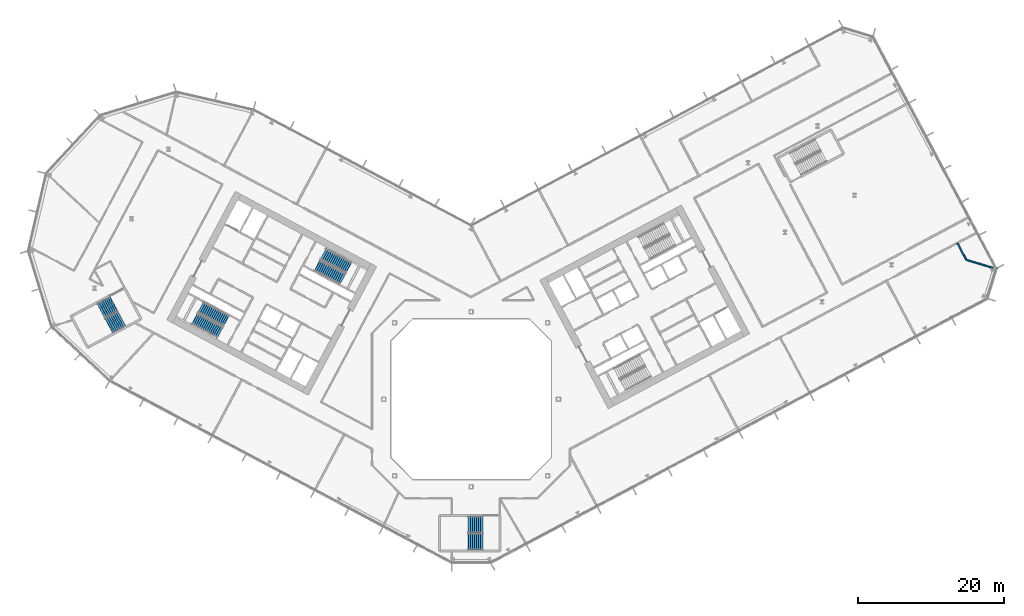
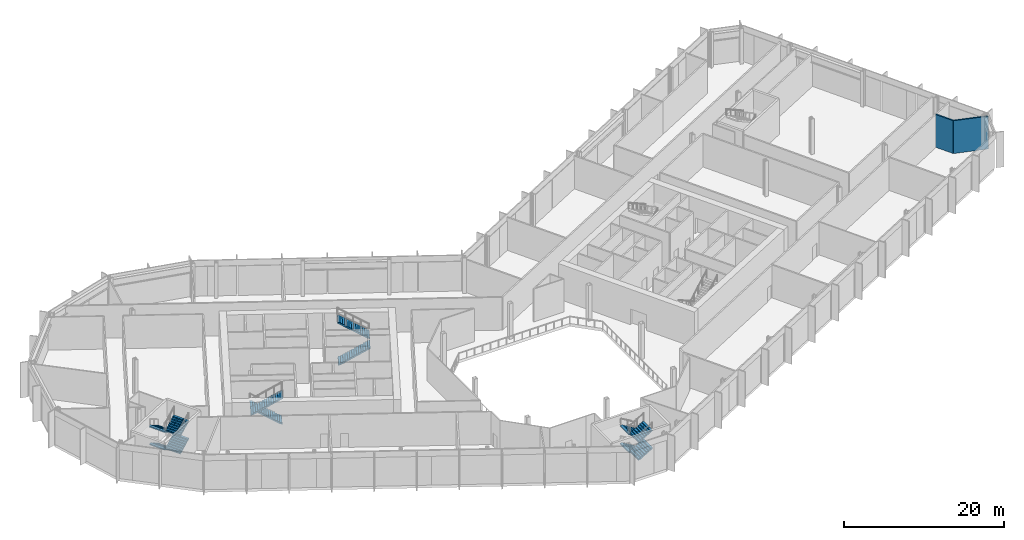
# One storey, part 18 of 32: 12 stair flights, 2 walls, 4 elements without a shape of their own.
"""IFC4 building model written with IfcOpenShell, lengths in metres."""

from ifc_helpers import new_model, si_unit, direction, frame, frame_2d, origin, place, context, subcontext, project, spatial, polyline, rectangle, outline, extrude, material, layer, layer_set, type_object, element, aggregate, save


model = new_model("IFC4")

# Units and contexts
model_context = context("Model", 3, precision=1e-05, world=origin(), true_north=direction((0.0, 1.0)))
body_context = subcontext(model_context, "Body", "Model", "MODEL_VIEW")
ifc_project = project(units=[si_unit("LENGTHUNIT", "METRE"), si_unit("AREAUNIT", "SQUARE_METRE"), si_unit("VOLUMEUNIT", "CUBIC_METRE"), si_unit("PLANEANGLEUNIT", "RADIAN"), si_unit("MASSUNIT", "GRAM", prefix="KILO")], contexts=[model_context])

# Site, building, storey
site_placement = place(None, origin())
site = spatial("IfcSite", under=ifc_project, at=site_placement, CompositionType="ELEMENT")
building_placement = place(site_placement, origin())
building = spatial("IfcBuilding", under=site, at=building_placement, Name="Cormorant Relay Tower", CompositionType="ELEMENT")
storey_placement = place(building_placement, frame((0.0, 0.0, 60.800048828125)))
storey = spatial("IfcBuildingStorey", under=building, at=storey_placement, Name="L11", CompositionType="ELEMENT", Elevation=60.800048828125)

# Walls
ifc_material_1 = material(Name="Fire-rated gypsum board partition")
ifc_layer = layer(ifc_material_1, 0.199951171875)
ifc_layer_set = layer_set([ifc_layer], Name="Fire-rated gypsum partition 200")
wall_type = type_object("IfcWallType", Name="Fire-rated gypsum partition 200", PredefinedType="PARTITIONING", material=ifc_layer_set)
wall_1_placement = place(storey_placement, frame((66.743896484375, 21.445068359375, 0.0), z_axis=(0.0, 0.0, 1.0), x_axis=(0.469720428517, -0.882815223608, 0.0)))
element("IfcWall", 1, at=wall_1_placement, inside=storey, type_object=wall_type, Name="wall/L11/part/53", PredefinedType="PARTITIONING", context=body_context, shape_type="SweptSolid", body=[
    extrude(rectangle(XDim=2.599853515625, YDim=0.199951171875, at=frame_2d((1.2998046875, 0.0))), origin(), (0.0, 0.0, 1.0), 5.0),
])
wall_2_placement = place(storey_placement, frame((67.965087890625, 19.14990234375, 0.0), z_axis=(0.0, 0.0, 1.0), x_axis=(0.956221844793, -0.292642757539, 0.0)))
element("IfcWall", 2, at=wall_2_placement, inside=storey, type_object=wall_type, Name="wall/L11/part/54", PredefinedType="PARTITIONING", context=body_context, shape_type="SweptSolid", body=[
    extrude(rectangle(XDim=4.459228515625, YDim=0.199951171875, at=frame_2d((2.2294921875, 0.0))), origin(), (0.0, 0.0, 1.0), 5.0),
])

# Stair, stair flights
ifc_material_2 = material(Name="Concrete 40 MPa", Category="concrete")
stair_type_1 = type_object("IfcStairType", Name="Exit stair 1500", PredefinedType="HALF_TURN_STAIR", material=ifc_material_2)
stair_1_placement = place(storey_placement, origin())
stair_1 = element("IfcStair", 3, at=stair_1_placement, inside=storey, type_object=stair_type_1, Name="L11 Stair", PredefinedType="HALF_TURN_STAIR")
ifc_material_3 = material(Name="Concrete 40 MPa", Category="concrete")
stair_flight_type_1 = type_object("IfcStairFlightType", Name="Exit stair flight 1650", PredefinedType="STRAIGHT", material=ifc_material_3)
stair_flight_1_placement = place(storey_placement, frame((-21.114501953125, 18.33349609375, 0.0), z_axis=(0.0, 0.0, 1.0), x_axis=(0.882947592859, -0.469471562786, 0.0)))
stair_flight_1 = element("IfcStairFlight", 4, at=stair_flight_1_placement, type_object=stair_flight_type_1, Name="A1 flight 1", NumberOfRisers=15, NumberOfTreads=14, PredefinedType="STRAIGHT", RiserHeight=0.18, TreadLength=0.28, context=body_context, shape_type="SweptSolid", body=[
    extrude(outline(polyline([(-0.050048828125, -0.080078125), (-0.050048828125, 0.0), (0.0, 0.0), (0.0, 0.179931640625), (0.280029296875, 0.179931640625), (0.280029296875, 0.360107421875), (0.56005859375, 0.360107421875), (0.56005859375, 0.5400390625), (0.840087890625, 0.5400390625), (0.840087890625, 0.719970703125), (1.1201171875, 0.719970703125), (1.1201171875, 0.89990234375), (1.39990234375, 0.89990234375), (1.39990234375, 1.080078125), (1.679931640625, 1.080078125), (1.679931640625, 1.260009765625), (1.9599609375, 1.260009765625), (1.9599609375, 1.43994140625), (2.239990234375, 1.43994140625), (2.239990234375, 1.6201171875), (2.52001953125, 1.6201171875), (2.52001953125, 1.800048828125), (2.800048828125, 1.800048828125), (2.800048828125, 1.97998046875), (3.080078125, 1.97998046875), (3.080078125, 2.159912109375), (3.360107421875, 2.159912109375), (3.360107421875, 2.340087890625), (3.639892578125, 2.340087890625), (3.639892578125, 2.52001953125), (3.919921875, 2.52001953125), (3.969970703125, 2.52001953125), (3.969970703125, 2.341796875), (3.919921875, 2.341796875), (0.277099609375, 0.0), (-0.050048828125, -0.080078125)])), frame((0.0, 0.824951171875, 0.0), z_axis=(0.0, -1.0, 0.0), x_axis=(1.0, 0.0, 0.0)), (0.0, 0.0, 1.0), 1.64990234375),
])
stair_flight_2_placement = place(storey_placement, frame((-16.80810546875, 18.08251953125, 2.699951171875), z_axis=(0.0, 0.0, 1.0), x_axis=(-0.882947592859, 0.469471562786, 0.0)))
stair_flight_2 = element("IfcStairFlight", 5, at=stair_flight_2_placement, type_object=stair_flight_type_1, Name="A1 flight 2", NumberOfRisers=15, NumberOfTreads=14, PredefinedType="STRAIGHT", RiserHeight=0.18, TreadLength=0.28, context=body_context, shape_type="SweptSolid", body=[
    extrude(outline(polyline([(-0.050048828125, -0.080078125), (-0.050048828125, 0.0), (0.0, 0.0), (0.0, 0.179931640625), (0.280029296875, 0.179931640625), (0.280029296875, 0.360107421875), (0.56005859375, 0.360107421875), (0.56005859375, 0.5400390625), (0.840087890625, 0.5400390625), (0.840087890625, 0.719970703125), (1.1201171875, 0.719970703125), (1.1201171875, 0.89990234375), (1.39990234375, 0.89990234375), (1.39990234375, 1.080078125), (1.679931640625, 1.080078125), (1.679931640625, 1.260009765625), (1.9599609375, 1.260009765625), (1.9599609375, 1.43994140625), (2.239990234375, 1.43994140625), (2.239990234375, 1.6201171875), (2.52001953125, 1.6201171875), (2.52001953125, 1.800048828125), (2.800048828125, 1.800048828125), (2.800048828125, 1.97998046875), (3.080078125, 1.97998046875), (3.080078125, 2.159912109375), (3.360107421875, 2.159912109375), (3.360107421875, 2.340087890625), (3.639892578125, 2.340087890625), (3.639892578125, 2.52001953125), (3.919921875, 2.52001953125), (3.969970703125, 2.52001953125), (3.969970703125, 2.341796875), (3.919921875, 2.341796875), (0.277099609375, 0.0), (-0.050048828125, -0.080078125)])), frame((0.0, 0.824951171875, 0.0), z_axis=(0.0, -1.0, 0.0), x_axis=(1.0, 0.0, 0.0)), (0.0, 0.0, 1.0), 1.64990234375),
])
aggregate(stair_1, [stair_flight_1, stair_flight_2])

stair_2_placement = place(storey_placement, origin())
stair_2 = element("IfcStair", 6, at=stair_2_placement, inside=storey, type_object=stair_type_1, Name="L11 Stair", PredefinedType="HALF_TURN_STAIR")
stair_flight_3_placement = place(storey_placement, frame((-33.62841796875, 10.773681640625, 0.0), z_axis=(0.0, 0.0, 1.0), x_axis=(-0.882947592859, 0.469471562786, 0.0)))
stair_flight_3 = element("IfcStairFlight", 7, at=stair_flight_3_placement, type_object=stair_flight_type_1, Name="A2 flight 1", NumberOfRisers=15, NumberOfTreads=14, PredefinedType="STRAIGHT", RiserHeight=0.18, TreadLength=0.28, context=body_context, shape_type="SweptSolid", body=[
    extrude(outline(polyline([(-0.050048828125, -0.080078125), (-0.050048828125, 0.0), (0.0, 0.0), (0.0, 0.179931640625), (0.280029296875, 0.179931640625), (0.280029296875, 0.360107421875), (0.56005859375, 0.360107421875), (0.56005859375, 0.5400390625), (0.840087890625, 0.5400390625), (0.840087890625, 0.719970703125), (1.1201171875, 0.719970703125), (1.1201171875, 0.89990234375), (1.39990234375, 0.89990234375), (1.39990234375, 1.080078125), (1.679931640625, 1.080078125), (1.679931640625, 1.260009765625), (1.9599609375, 1.260009765625), (1.9599609375, 1.43994140625), (2.239990234375, 1.43994140625), (2.239990234375, 1.6201171875), (2.52001953125, 1.6201171875), (2.52001953125, 1.800048828125), (2.800048828125, 1.800048828125), (2.800048828125, 1.97998046875), (3.080078125, 1.97998046875), (3.080078125, 2.159912109375), (3.360107421875, 2.159912109375), (3.360107421875, 2.340087890625), (3.639892578125, 2.340087890625), (3.639892578125, 2.52001953125), (3.919921875, 2.52001953125), (3.969970703125, 2.52001953125), (3.969970703125, 2.341796875), (3.919921875, 2.341796875), (0.277099609375, 0.0), (-0.050048828125, -0.080078125)])), frame((0.0, 0.824951171875, 0.0), z_axis=(0.0, -1.0, 0.0), x_axis=(1.0, 0.0, 0.0)), (0.0, 0.0, 1.0), 1.64990234375),
])
stair_flight_4_placement = place(storey_placement, frame((-37.9345703125, 11.024658203125, 2.699951171875), z_axis=(0.0, 0.0, 1.0), x_axis=(0.882947592859, -0.469471562786, 0.0)))
stair_flight_4 = element("IfcStairFlight", 8, at=stair_flight_4_placement, type_object=stair_flight_type_1, Name="A2 flight 2", NumberOfRisers=15, NumberOfTreads=14, PredefinedType="STRAIGHT", RiserHeight=0.18, TreadLength=0.28, context=body_context, shape_type="SweptSolid", body=[
    extrude(outline(polyline([(-0.050048828125, -0.080078125), (-0.050048828125, 0.0), (0.0, 0.0), (0.0, 0.179931640625), (0.280029296875, 0.179931640625), (0.280029296875, 0.360107421875), (0.56005859375, 0.360107421875), (0.56005859375, 0.5400390625), (0.840087890625, 0.5400390625), (0.840087890625, 0.719970703125), (1.1201171875, 0.719970703125), (1.1201171875, 0.89990234375), (1.39990234375, 0.89990234375), (1.39990234375, 1.080078125), (1.679931640625, 1.080078125), (1.679931640625, 1.260009765625), (1.9599609375, 1.260009765625), (1.9599609375, 1.43994140625), (2.239990234375, 1.43994140625), (2.239990234375, 1.6201171875), (2.52001953125, 1.6201171875), (2.52001953125, 1.800048828125), (2.800048828125, 1.800048828125), (2.800048828125, 1.97998046875), (3.080078125, 1.97998046875), (3.080078125, 2.159912109375), (3.360107421875, 2.159912109375), (3.360107421875, 2.340087890625), (3.639892578125, 2.340087890625), (3.639892578125, 2.52001953125), (3.919921875, 2.52001953125), (3.969970703125, 2.52001953125), (3.969970703125, 2.341796875), (3.919921875, 2.341796875), (0.277099609375, 0.0), (-0.050048828125, -0.080078125)])), frame((0.0, 0.824951171875, 0.0), z_axis=(0.0, -1.0, 0.0), x_axis=(1.0, 0.0, 0.0)), (0.0, 0.0, 1.0), 1.64990234375),
])
aggregate(stair_2, [stair_flight_3, stair_flight_4])

ifc_material_4 = material(Name="Concrete 40 MPa", Category="concrete")
stair_type_2 = type_object("IfcStairType", Name="Remote exit stair 2200", PredefinedType="HALF_TURN_STAIR", material=ifc_material_4)
stair_3_placement = place(storey_placement, origin())
stair_3 = element("IfcStair", 9, at=stair_3_placement, inside=storey, type_object=stair_type_2, Name="L11 Stair", PredefinedType="HALF_TURN_STAIR")
ifc_material_5 = material(Name="Concrete 40 MPa", Category="concrete")
stair_flight_type_2 = type_object("IfcStairFlightType", Name="Remote exit stair flight 2200", PredefinedType="STRAIGHT", material=ifc_material_5)
stair_flight_5_placement = place(storey_placement, frame((1.60009765625, -17.22509765625, 0.0), z_axis=(0.0, 0.0, 1.0), x_axis=(-1.0, 0.0, 0.0)))
stair_flight_5 = element("IfcStairFlight", 10, at=stair_flight_5_placement, type_object=stair_flight_type_2, Name="RK1 flight 1", NumberOfRisers=8, NumberOfTreads=7, PredefinedType="STRAIGHT", RiserHeight=0.16875, TreadLength=0.28, context=body_context, shape_type="SweptSolid", body=[
    extrude(outline(polyline([(-0.050048828125, -0.080078125), (-0.050048828125, 0.0), (0.0, 0.0), (0.0, 0.168701171875), (0.280029296875, 0.168701171875), (0.280029296875, 0.33740234375), (0.56005859375, 0.33740234375), (0.56005859375, 0.50634765625), (0.840087890625, 0.50634765625), (0.840087890625, 0.675048828125), (1.1201171875, 0.675048828125), (1.1201171875, 0.84375), (1.39990234375, 0.84375), (1.39990234375, 1.012451171875), (1.679931640625, 1.012451171875), (1.679931640625, 1.18115234375), (1.9599609375, 1.18115234375), (2.010009765625, 1.18115234375), (2.010009765625, 1.00634765625), (1.9599609375, 1.00634765625), (0.29052734375, 0.0), (-0.050048828125, -0.080078125)])), frame((0.0, 1.10009765625, 0.0), z_axis=(0.0, -1.0, 0.0), x_axis=(1.0, 0.0, 0.0)), (0.0, 0.0, 1.0), 0.719970703125),
    extrude(outline(polyline([(-0.050048828125, -0.080078125), (-0.050048828125, 0.0), (0.0, 0.0), (0.0, 0.168701171875), (0.280029296875, 0.168701171875), (0.280029296875, 0.33740234375), (0.56005859375, 0.33740234375), (0.56005859375, 0.50634765625), (0.840087890625, 0.50634765625), (0.840087890625, 0.675048828125), (1.1201171875, 0.675048828125), (1.1201171875, 0.84375), (1.39990234375, 0.84375), (1.39990234375, 1.012451171875), (1.679931640625, 1.012451171875), (1.679931640625, 1.18115234375), (1.9599609375, 1.18115234375), (2.010009765625, 1.18115234375), (2.010009765625, 1.00634765625), (1.9599609375, 1.00634765625), (0.29052734375, 0.0), (-0.050048828125, -0.080078125)])), frame((0.0, 0.360107421875, 0.0), z_axis=(0.0, -1.0, 0.0), x_axis=(1.0, 0.0, 0.0)), (0.0, 0.0, 1.0), 0.719970703125),
    extrude(outline(polyline([(-0.050048828125, -0.080078125), (-0.050048828125, 0.0), (0.0, 0.0), (0.0, 0.168701171875), (0.280029296875, 0.168701171875), (0.280029296875, 0.33740234375), (0.56005859375, 0.33740234375), (0.56005859375, 0.50634765625), (0.840087890625, 0.50634765625), (0.840087890625, 0.675048828125), (1.1201171875, 0.675048828125), (1.1201171875, 0.84375), (1.39990234375, 0.84375), (1.39990234375, 1.012451171875), (1.679931640625, 1.012451171875), (1.679931640625, 1.18115234375), (1.9599609375, 1.18115234375), (2.010009765625, 1.18115234375), (2.010009765625, 1.00634765625), (1.9599609375, 1.00634765625), (0.29052734375, 0.0), (-0.050048828125, -0.080078125)])), frame((0.0, -0.3798828125, 0.0), z_axis=(0.0, -1.0, 0.0), x_axis=(1.0, 0.0, 0.0)), (0.0, 0.0, 1.0), 0.719970703125),
])
stair_flight_6_placement = place(storey_placement, frame((-0.360107421875, -19.574951171875, 1.349853515625), z_axis=(0.0, 0.0, 1.0), x_axis=(1.0, 0.0, 0.0)))
stair_flight_6 = element("IfcStairFlight", 11, at=stair_flight_6_placement, type_object=stair_flight_type_2, Name="RK1 flight 2", NumberOfRisers=8, NumberOfTreads=7, PredefinedType="STRAIGHT", RiserHeight=0.16875, TreadLength=0.28, context=body_context, shape_type="SweptSolid", body=[
    extrude(outline(polyline([(-0.050048828125, -0.080078125), (-0.050048828125, 0.0), (0.0, 0.0), (0.0, 0.168701171875), (0.280029296875, 0.168701171875), (0.280029296875, 0.33740234375), (0.56005859375, 0.33740234375), (0.56005859375, 0.50634765625), (0.840087890625, 0.50634765625), (0.840087890625, 0.675048828125), (1.1201171875, 0.675048828125), (1.1201171875, 0.84375), (1.39990234375, 0.84375), (1.39990234375, 1.012451171875), (1.679931640625, 1.012451171875), (1.679931640625, 1.18115234375), (1.9599609375, 1.18115234375), (2.010009765625, 1.18115234375), (2.010009765625, 1.00634765625), (1.9599609375, 1.00634765625), (0.29052734375, 0.0), (-0.050048828125, -0.080078125)])), frame((0.0, 1.10009765625, 0.0), z_axis=(0.0, -1.0, 0.0), x_axis=(1.0, 0.0, 0.0)), (0.0, 0.0, 1.0), 0.719970703125),
    extrude(outline(polyline([(-0.050048828125, -0.080078125), (-0.050048828125, 0.0), (0.0, 0.0), (0.0, 0.168701171875), (0.280029296875, 0.168701171875), (0.280029296875, 0.33740234375), (0.56005859375, 0.33740234375), (0.56005859375, 0.50634765625), (0.840087890625, 0.50634765625), (0.840087890625, 0.675048828125), (1.1201171875, 0.675048828125), (1.1201171875, 0.84375), (1.39990234375, 0.84375), (1.39990234375, 1.012451171875), (1.679931640625, 1.012451171875), (1.679931640625, 1.18115234375), (1.9599609375, 1.18115234375), (2.010009765625, 1.18115234375), (2.010009765625, 1.00634765625), (1.9599609375, 1.00634765625), (0.29052734375, 0.0), (-0.050048828125, -0.080078125)])), frame((0.0, 0.360107421875, 0.0), z_axis=(0.0, -1.0, 0.0), x_axis=(1.0, 0.0, 0.0)), (0.0, 0.0, 1.0), 0.719970703125),
    extrude(outline(polyline([(-0.050048828125, -0.080078125), (-0.050048828125, 0.0), (0.0, 0.0), (0.0, 0.168701171875), (0.280029296875, 0.168701171875), (0.280029296875, 0.33740234375), (0.56005859375, 0.33740234375), (0.56005859375, 0.50634765625), (0.840087890625, 0.50634765625), (0.840087890625, 0.675048828125), (1.1201171875, 0.675048828125), (1.1201171875, 0.84375), (1.39990234375, 0.84375), (1.39990234375, 1.012451171875), (1.679931640625, 1.012451171875), (1.679931640625, 1.18115234375), (1.9599609375, 1.18115234375), (2.010009765625, 1.18115234375), (2.010009765625, 1.00634765625), (1.9599609375, 1.00634765625), (0.29052734375, 0.0), (-0.050048828125, -0.080078125)])), frame((0.0, -0.3798828125, 0.0), z_axis=(0.0, -1.0, 0.0), x_axis=(1.0, 0.0, 0.0)), (0.0, 0.0, 1.0), 0.719970703125),
])
stair_flight_7_placement = place(storey_placement, frame((1.60009765625, -17.22509765625, 2.699951171875), z_axis=(0.0, 0.0, 1.0), x_axis=(-1.0, 0.0, 0.0)))
stair_flight_7 = element("IfcStairFlight", 12, at=stair_flight_7_placement, type_object=stair_flight_type_2, Name="RK1 flight 3", NumberOfRisers=8, NumberOfTreads=7, PredefinedType="STRAIGHT", RiserHeight=0.16875, TreadLength=0.28, context=body_context, shape_type="SweptSolid", body=[
    extrude(outline(polyline([(-0.050048828125, -0.080078125), (-0.050048828125, 0.0), (0.0, 0.0), (0.0, 0.168701171875), (0.280029296875, 0.168701171875), (0.280029296875, 0.33740234375), (0.56005859375, 0.33740234375), (0.56005859375, 0.50634765625), (0.840087890625, 0.50634765625), (0.840087890625, 0.675048828125), (1.1201171875, 0.675048828125), (1.1201171875, 0.84375), (1.39990234375, 0.84375), (1.39990234375, 1.012451171875), (1.679931640625, 1.012451171875), (1.679931640625, 1.18115234375), (1.9599609375, 1.18115234375), (2.010009765625, 1.18115234375), (2.010009765625, 1.00634765625), (1.9599609375, 1.00634765625), (0.29052734375, 0.0), (-0.050048828125, -0.080078125)])), frame((0.0, 1.10009765625, 0.0), z_axis=(0.0, -1.0, 0.0), x_axis=(1.0, 0.0, 0.0)), (0.0, 0.0, 1.0), 0.719970703125),
    extrude(outline(polyline([(-0.050048828125, -0.080078125), (-0.050048828125, 0.0), (0.0, 0.0), (0.0, 0.168701171875), (0.280029296875, 0.168701171875), (0.280029296875, 0.33740234375), (0.56005859375, 0.33740234375), (0.56005859375, 0.50634765625), (0.840087890625, 0.50634765625), (0.840087890625, 0.675048828125), (1.1201171875, 0.675048828125), (1.1201171875, 0.84375), (1.39990234375, 0.84375), (1.39990234375, 1.012451171875), (1.679931640625, 1.012451171875), (1.679931640625, 1.18115234375), (1.9599609375, 1.18115234375), (2.010009765625, 1.18115234375), (2.010009765625, 1.00634765625), (1.9599609375, 1.00634765625), (0.29052734375, 0.0), (-0.050048828125, -0.080078125)])), frame((0.0, 0.360107421875, 0.0), z_axis=(0.0, -1.0, 0.0), x_axis=(1.0, 0.0, 0.0)), (0.0, 0.0, 1.0), 0.719970703125),
    extrude(outline(polyline([(-0.050048828125, -0.080078125), (-0.050048828125, 0.0), (0.0, 0.0), (0.0, 0.168701171875), (0.280029296875, 0.168701171875), (0.280029296875, 0.33740234375), (0.56005859375, 0.33740234375), (0.56005859375, 0.50634765625), (0.840087890625, 0.50634765625), (0.840087890625, 0.675048828125), (1.1201171875, 0.675048828125), (1.1201171875, 0.84375), (1.39990234375, 0.84375), (1.39990234375, 1.012451171875), (1.679931640625, 1.012451171875), (1.679931640625, 1.18115234375), (1.9599609375, 1.18115234375), (2.010009765625, 1.18115234375), (2.010009765625, 1.00634765625), (1.9599609375, 1.00634765625), (0.29052734375, 0.0), (-0.050048828125, -0.080078125)])), frame((0.0, -0.3798828125, 0.0), z_axis=(0.0, -1.0, 0.0), x_axis=(1.0, 0.0, 0.0)), (0.0, 0.0, 1.0), 0.719970703125),
])
stair_flight_8_placement = place(storey_placement, frame((-0.360107421875, -19.574951171875, 4.050048828125), z_axis=(0.0, 0.0, 1.0), x_axis=(1.0, 0.0, 0.0)))
stair_flight_8 = element("IfcStairFlight", 13, at=stair_flight_8_placement, type_object=stair_flight_type_2, Name="RK1 flight 4", NumberOfRisers=8, NumberOfTreads=7, PredefinedType="STRAIGHT", RiserHeight=0.16875, TreadLength=0.28, context=body_context, shape_type="SweptSolid", body=[
    extrude(outline(polyline([(-0.050048828125, -0.080078125), (-0.050048828125, 0.0), (0.0, 0.0), (0.0, 0.168701171875), (0.280029296875, 0.168701171875), (0.280029296875, 0.33740234375), (0.56005859375, 0.33740234375), (0.56005859375, 0.50634765625), (0.840087890625, 0.50634765625), (0.840087890625, 0.675048828125), (1.1201171875, 0.675048828125), (1.1201171875, 0.84375), (1.39990234375, 0.84375), (1.39990234375, 1.012451171875), (1.679931640625, 1.012451171875), (1.679931640625, 1.18115234375), (1.9599609375, 1.18115234375), (2.010009765625, 1.18115234375), (2.010009765625, 1.00634765625), (1.9599609375, 1.00634765625), (0.29052734375, 0.0), (-0.050048828125, -0.080078125)])), frame((0.0, 1.10009765625, 0.0), z_axis=(0.0, -1.0, 0.0), x_axis=(1.0, 0.0, 0.0)), (0.0, 0.0, 1.0), 0.719970703125),
    extrude(outline(polyline([(-0.050048828125, -0.080078125), (-0.050048828125, 0.0), (0.0, 0.0), (0.0, 0.168701171875), (0.280029296875, 0.168701171875), (0.280029296875, 0.33740234375), (0.56005859375, 0.33740234375), (0.56005859375, 0.50634765625), (0.840087890625, 0.50634765625), (0.840087890625, 0.675048828125), (1.1201171875, 0.675048828125), (1.1201171875, 0.84375), (1.39990234375, 0.84375), (1.39990234375, 1.012451171875), (1.679931640625, 1.012451171875), (1.679931640625, 1.18115234375), (1.9599609375, 1.18115234375), (2.010009765625, 1.18115234375), (2.010009765625, 1.00634765625), (1.9599609375, 1.00634765625), (0.29052734375, 0.0), (-0.050048828125, -0.080078125)])), frame((0.0, 0.360107421875, 0.0), z_axis=(0.0, -1.0, 0.0), x_axis=(1.0, 0.0, 0.0)), (0.0, 0.0, 1.0), 0.719970703125),
    extrude(outline(polyline([(-0.050048828125, -0.080078125), (-0.050048828125, 0.0), (0.0, 0.0), (0.0, 0.168701171875), (0.280029296875, 0.168701171875), (0.280029296875, 0.33740234375), (0.56005859375, 0.33740234375), (0.56005859375, 0.50634765625), (0.840087890625, 0.50634765625), (0.840087890625, 0.675048828125), (1.1201171875, 0.675048828125), (1.1201171875, 0.84375), (1.39990234375, 0.84375), (1.39990234375, 1.012451171875), (1.679931640625, 1.012451171875), (1.679931640625, 1.18115234375), (1.9599609375, 1.18115234375), (2.010009765625, 1.18115234375), (2.010009765625, 1.00634765625), (1.9599609375, 1.00634765625), (0.29052734375, 0.0), (-0.050048828125, -0.080078125)])), frame((0.0, -0.3798828125, 0.0), z_axis=(0.0, -1.0, 0.0), x_axis=(1.0, 0.0, 0.0)), (0.0, 0.0, 1.0), 0.719970703125),
])
aggregate(stair_3, [stair_flight_5, stair_flight_6, stair_flight_7, stair_flight_8])

stair_4_placement = place(storey_placement, origin())
stair_4 = element("IfcStair", 14, at=stair_4_placement, inside=storey, type_object=stair_type_2, Name="L11 Stair", PredefinedType="HALF_TURN_STAIR")
stair_flight_9_placement = place(storey_placement, frame((-49.062255859375, 13.08251953125, 0.0), z_axis=(0.0, 0.0, 1.0), x_axis=(-0.882947502727, -0.4694717323, 0.0)))
stair_flight_9 = element("IfcStairFlight", 15, at=stair_flight_9_placement, type_object=stair_flight_type_2, Name="RP1 flight 1", NumberOfRisers=8, NumberOfTreads=7, PredefinedType="STRAIGHT", RiserHeight=0.16875, TreadLength=0.28, context=body_context, shape_type="SweptSolid", body=[
    extrude(outline(polyline([(-0.050048828125, -0.080078125), (-0.050048828125, 0.0), (0.0, 0.0), (0.0, 0.168701171875), (0.280029296875, 0.168701171875), (0.280029296875, 0.33740234375), (0.56005859375, 0.33740234375), (0.56005859375, 0.50634765625), (0.840087890625, 0.50634765625), (0.840087890625, 0.675048828125), (1.1201171875, 0.675048828125), (1.1201171875, 0.84375), (1.39990234375, 0.84375), (1.39990234375, 1.012451171875), (1.679931640625, 1.012451171875), (1.679931640625, 1.18115234375), (1.9599609375, 1.18115234375), (2.010009765625, 1.18115234375), (2.010009765625, 1.00634765625), (1.9599609375, 1.00634765625), (0.29052734375, 0.0), (-0.050048828125, -0.080078125)])), frame((0.0, 1.10009765625, 0.0), z_axis=(0.0, -1.0, 0.0), x_axis=(1.0, 0.0, 0.0)), (0.0, 0.0, 1.0), 0.719970703125),
    extrude(outline(polyline([(-0.050048828125, -0.080078125), (-0.050048828125, 0.0), (0.0, 0.0), (0.0, 0.168701171875), (0.280029296875, 0.168701171875), (0.280029296875, 0.33740234375), (0.56005859375, 0.33740234375), (0.56005859375, 0.50634765625), (0.840087890625, 0.50634765625), (0.840087890625, 0.675048828125), (1.1201171875, 0.675048828125), (1.1201171875, 0.84375), (1.39990234375, 0.84375), (1.39990234375, 1.012451171875), (1.679931640625, 1.012451171875), (1.679931640625, 1.18115234375), (1.9599609375, 1.18115234375), (2.010009765625, 1.18115234375), (2.010009765625, 1.00634765625), (1.9599609375, 1.00634765625), (0.29052734375, 0.0), (-0.050048828125, -0.080078125)])), frame((0.0, 0.360107421875, 0.0), z_axis=(0.0, -1.0, 0.0), x_axis=(1.0, 0.0, 0.0)), (0.0, 0.0, 1.0), 0.719970703125),
    extrude(outline(polyline([(-0.050048828125, -0.080078125), (-0.050048828125, 0.0), (0.0, 0.0), (0.0, 0.168701171875), (0.280029296875, 0.168701171875), (0.280029296875, 0.33740234375), (0.56005859375, 0.33740234375), (0.56005859375, 0.50634765625), (0.840087890625, 0.50634765625), (0.840087890625, 0.675048828125), (1.1201171875, 0.675048828125), (1.1201171875, 0.84375), (1.39990234375, 0.84375), (1.39990234375, 1.012451171875), (1.679931640625, 1.012451171875), (1.679931640625, 1.18115234375), (1.9599609375, 1.18115234375), (2.010009765625, 1.18115234375), (2.010009765625, 1.00634765625), (1.9599609375, 1.00634765625), (0.29052734375, 0.0), (-0.050048828125, -0.080078125)])), frame((0.0, -0.3798828125, 0.0), z_axis=(0.0, -1.0, 0.0), x_axis=(1.0, 0.0, 0.0)), (0.0, 0.0, 1.0), 0.719970703125),
])
stair_flight_10_placement = place(storey_placement, frame((-49.689697265625, 10.08740234375, 1.349853515625), z_axis=(0.0, 0.0, 1.0), x_axis=(0.882947502727, 0.4694717323, 0.0)))
stair_flight_10 = element("IfcStairFlight", 16, at=stair_flight_10_placement, type_object=stair_flight_type_2, Name="RP1 flight 2", NumberOfRisers=8, NumberOfTreads=7, PredefinedType="STRAIGHT", RiserHeight=0.16875, TreadLength=0.28, context=body_context, shape_type="SweptSolid", body=[
    extrude(outline(polyline([(-0.050048828125, -0.080078125), (-0.050048828125, 0.0), (0.0, 0.0), (0.0, 0.168701171875), (0.280029296875, 0.168701171875), (0.280029296875, 0.33740234375), (0.56005859375, 0.33740234375), (0.56005859375, 0.50634765625), (0.840087890625, 0.50634765625), (0.840087890625, 0.675048828125), (1.1201171875, 0.675048828125), (1.1201171875, 0.84375), (1.39990234375, 0.84375), (1.39990234375, 1.012451171875), (1.679931640625, 1.012451171875), (1.679931640625, 1.18115234375), (1.9599609375, 1.18115234375), (2.010009765625, 1.18115234375), (2.010009765625, 1.00634765625), (1.9599609375, 1.00634765625), (0.29052734375, 0.0), (-0.050048828125, -0.080078125)])), frame((0.0, 1.10009765625, 0.0), z_axis=(0.0, -1.0, 0.0), x_axis=(1.0, 0.0, 0.0)), (0.0, 0.0, 1.0), 0.719970703125),
    extrude(outline(polyline([(-0.050048828125, -0.080078125), (-0.050048828125, 0.0), (0.0, 0.0), (0.0, 0.168701171875), (0.280029296875, 0.168701171875), (0.280029296875, 0.33740234375), (0.56005859375, 0.33740234375), (0.56005859375, 0.50634765625), (0.840087890625, 0.50634765625), (0.840087890625, 0.675048828125), (1.1201171875, 0.675048828125), (1.1201171875, 0.84375), (1.39990234375, 0.84375), (1.39990234375, 1.012451171875), (1.679931640625, 1.012451171875), (1.679931640625, 1.18115234375), (1.9599609375, 1.18115234375), (2.010009765625, 1.18115234375), (2.010009765625, 1.00634765625), (1.9599609375, 1.00634765625), (0.29052734375, 0.0), (-0.050048828125, -0.080078125)])), frame((0.0, 0.360107421875, 0.0), z_axis=(0.0, -1.0, 0.0), x_axis=(1.0, 0.0, 0.0)), (0.0, 0.0, 1.0), 0.719970703125),
    extrude(outline(polyline([(-0.050048828125, -0.080078125), (-0.050048828125, 0.0), (0.0, 0.0), (0.0, 0.168701171875), (0.280029296875, 0.168701171875), (0.280029296875, 0.33740234375), (0.56005859375, 0.33740234375), (0.56005859375, 0.50634765625), (0.840087890625, 0.50634765625), (0.840087890625, 0.675048828125), (1.1201171875, 0.675048828125), (1.1201171875, 0.84375), (1.39990234375, 0.84375), (1.39990234375, 1.012451171875), (1.679931640625, 1.012451171875), (1.679931640625, 1.18115234375), (1.9599609375, 1.18115234375), (2.010009765625, 1.18115234375), (2.010009765625, 1.00634765625), (1.9599609375, 1.00634765625), (0.29052734375, 0.0), (-0.050048828125, -0.080078125)])), frame((0.0, -0.3798828125, 0.0), z_axis=(0.0, -1.0, 0.0), x_axis=(1.0, 0.0, 0.0)), (0.0, 0.0, 1.0), 0.719970703125),
])
stair_flight_11_placement = place(storey_placement, frame((-49.062255859375, 13.08251953125, 2.699951171875), z_axis=(0.0, 0.0, 1.0), x_axis=(-0.882947502727, -0.4694717323, 0.0)))
stair_flight_11 = element("IfcStairFlight", 17, at=stair_flight_11_placement, type_object=stair_flight_type_2, Name="RP1 flight 3", NumberOfRisers=8, NumberOfTreads=7, PredefinedType="STRAIGHT", RiserHeight=0.16875, TreadLength=0.28, context=body_context, shape_type="SweptSolid", body=[
    extrude(outline(polyline([(-0.050048828125, -0.080078125), (-0.050048828125, 0.0), (0.0, 0.0), (0.0, 0.168701171875), (0.280029296875, 0.168701171875), (0.280029296875, 0.33740234375), (0.56005859375, 0.33740234375), (0.56005859375, 0.50634765625), (0.840087890625, 0.50634765625), (0.840087890625, 0.675048828125), (1.1201171875, 0.675048828125), (1.1201171875, 0.84375), (1.39990234375, 0.84375), (1.39990234375, 1.012451171875), (1.679931640625, 1.012451171875), (1.679931640625, 1.18115234375), (1.9599609375, 1.18115234375), (2.010009765625, 1.18115234375), (2.010009765625, 1.00634765625), (1.9599609375, 1.00634765625), (0.29052734375, 0.0), (-0.050048828125, -0.080078125)])), frame((0.0, 1.10009765625, 0.0), z_axis=(0.0, -1.0, 0.0), x_axis=(1.0, 0.0, 0.0)), (0.0, 0.0, 1.0), 0.719970703125),
    extrude(outline(polyline([(-0.050048828125, -0.080078125), (-0.050048828125, 0.0), (0.0, 0.0), (0.0, 0.168701171875), (0.280029296875, 0.168701171875), (0.280029296875, 0.33740234375), (0.56005859375, 0.33740234375), (0.56005859375, 0.50634765625), (0.840087890625, 0.50634765625), (0.840087890625, 0.675048828125), (1.1201171875, 0.675048828125), (1.1201171875, 0.84375), (1.39990234375, 0.84375), (1.39990234375, 1.012451171875), (1.679931640625, 1.012451171875), (1.679931640625, 1.18115234375), (1.9599609375, 1.18115234375), (2.010009765625, 1.18115234375), (2.010009765625, 1.00634765625), (1.9599609375, 1.00634765625), (0.29052734375, 0.0), (-0.050048828125, -0.080078125)])), frame((0.0, 0.360107421875, 0.0), z_axis=(0.0, -1.0, 0.0), x_axis=(1.0, 0.0, 0.0)), (0.0, 0.0, 1.0), 0.719970703125),
    extrude(outline(polyline([(-0.050048828125, -0.080078125), (-0.050048828125, 0.0), (0.0, 0.0), (0.0, 0.168701171875), (0.280029296875, 0.168701171875), (0.280029296875, 0.33740234375), (0.56005859375, 0.33740234375), (0.56005859375, 0.50634765625), (0.840087890625, 0.50634765625), (0.840087890625, 0.675048828125), (1.1201171875, 0.675048828125), (1.1201171875, 0.84375), (1.39990234375, 0.84375), (1.39990234375, 1.012451171875), (1.679931640625, 1.012451171875), (1.679931640625, 1.18115234375), (1.9599609375, 1.18115234375), (2.010009765625, 1.18115234375), (2.010009765625, 1.00634765625), (1.9599609375, 1.00634765625), (0.29052734375, 0.0), (-0.050048828125, -0.080078125)])), frame((0.0, -0.3798828125, 0.0), z_axis=(0.0, -1.0, 0.0), x_axis=(1.0, 0.0, 0.0)), (0.0, 0.0, 1.0), 0.719970703125),
])
stair_flight_12_placement = place(storey_placement, frame((-49.689697265625, 10.08740234375, 4.050048828125), z_axis=(0.0, 0.0, 1.0), x_axis=(0.882947502727, 0.4694717323, 0.0)))
stair_flight_12 = element("IfcStairFlight", 18, at=stair_flight_12_placement, type_object=stair_flight_type_2, Name="RP1 flight 4", NumberOfRisers=8, NumberOfTreads=7, PredefinedType="STRAIGHT", RiserHeight=0.16875, TreadLength=0.28, context=body_context, shape_type="SweptSolid", body=[
    extrude(outline(polyline([(-0.050048828125, -0.080078125), (-0.050048828125, 0.0), (0.0, 0.0), (0.0, 0.168701171875), (0.280029296875, 0.168701171875), (0.280029296875, 0.33740234375), (0.56005859375, 0.33740234375), (0.56005859375, 0.50634765625), (0.840087890625, 0.50634765625), (0.840087890625, 0.675048828125), (1.1201171875, 0.675048828125), (1.1201171875, 0.84375), (1.39990234375, 0.84375), (1.39990234375, 1.012451171875), (1.679931640625, 1.012451171875), (1.679931640625, 1.18115234375), (1.9599609375, 1.18115234375), (2.010009765625, 1.18115234375), (2.010009765625, 1.00634765625), (1.9599609375, 1.00634765625), (0.29052734375, 0.0), (-0.050048828125, -0.080078125)])), frame((0.0, 1.10009765625, 0.0), z_axis=(0.0, -1.0, 0.0), x_axis=(1.0, 0.0, 0.0)), (0.0, 0.0, 1.0), 0.719970703125),
    extrude(outline(polyline([(-0.050048828125, -0.080078125), (-0.050048828125, 0.0), (0.0, 0.0), (0.0, 0.168701171875), (0.280029296875, 0.168701171875), (0.280029296875, 0.33740234375), (0.56005859375, 0.33740234375), (0.56005859375, 0.50634765625), (0.840087890625, 0.50634765625), (0.840087890625, 0.675048828125), (1.1201171875, 0.675048828125), (1.1201171875, 0.84375), (1.39990234375, 0.84375), (1.39990234375, 1.012451171875), (1.679931640625, 1.012451171875), (1.679931640625, 1.18115234375), (1.9599609375, 1.18115234375), (2.010009765625, 1.18115234375), (2.010009765625, 1.00634765625), (1.9599609375, 1.00634765625), (0.29052734375, 0.0), (-0.050048828125, -0.080078125)])), frame((0.0, 0.360107421875, 0.0), z_axis=(0.0, -1.0, 0.0), x_axis=(1.0, 0.0, 0.0)), (0.0, 0.0, 1.0), 0.719970703125),
    extrude(outline(polyline([(-0.050048828125, -0.080078125), (-0.050048828125, 0.0), (0.0, 0.0), (0.0, 0.168701171875), (0.280029296875, 0.168701171875), (0.280029296875, 0.33740234375), (0.56005859375, 0.33740234375), (0.56005859375, 0.50634765625), (0.840087890625, 0.50634765625), (0.840087890625, 0.675048828125), (1.1201171875, 0.675048828125), (1.1201171875, 0.84375), (1.39990234375, 0.84375), (1.39990234375, 1.012451171875), (1.679931640625, 1.012451171875), (1.679931640625, 1.18115234375), (1.9599609375, 1.18115234375), (2.010009765625, 1.18115234375), (2.010009765625, 1.00634765625), (1.9599609375, 1.00634765625), (0.29052734375, 0.0), (-0.050048828125, -0.080078125)])), frame((0.0, -0.3798828125, 0.0), z_axis=(0.0, -1.0, 0.0), x_axis=(1.0, 0.0, 0.0)), (0.0, 0.0, 1.0), 0.719970703125),
])
aggregate(stair_4, [stair_flight_9, stair_flight_10, stair_flight_11, stair_flight_12])

save(model, "model.ifc")
